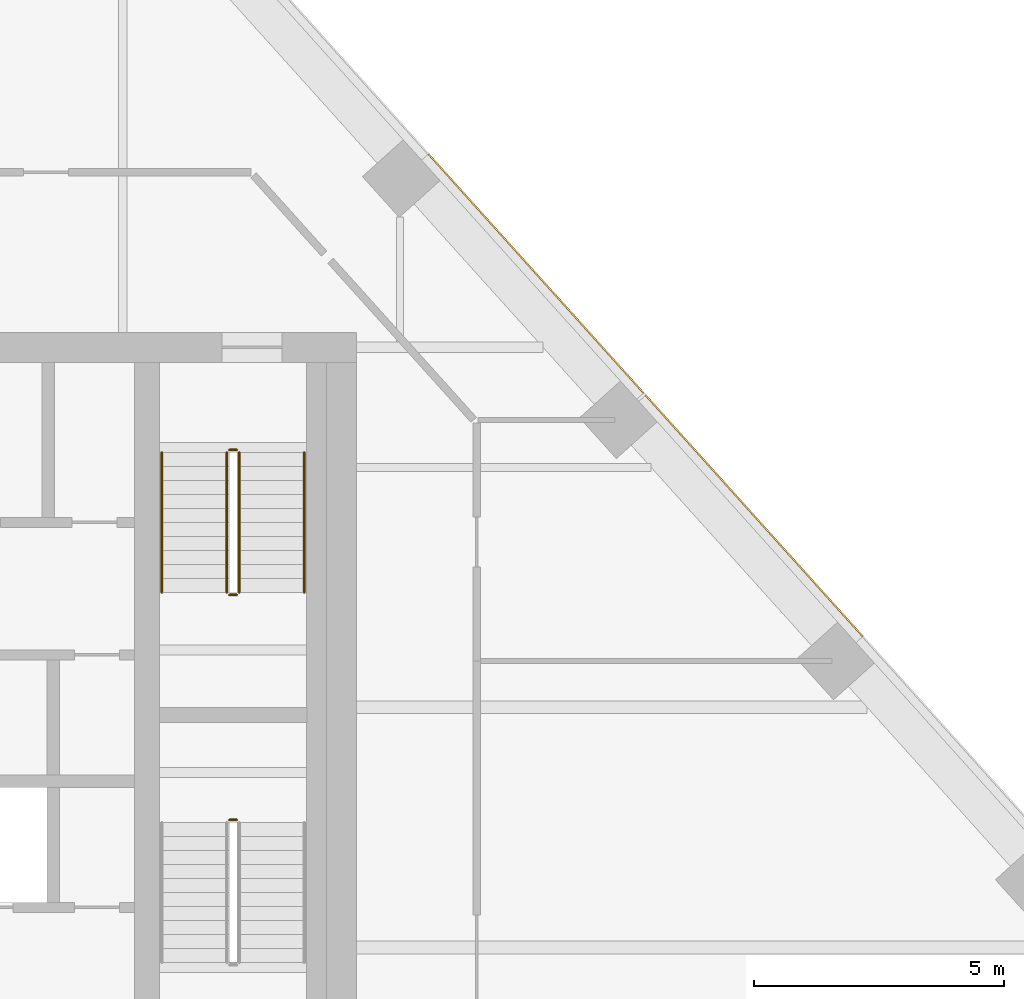
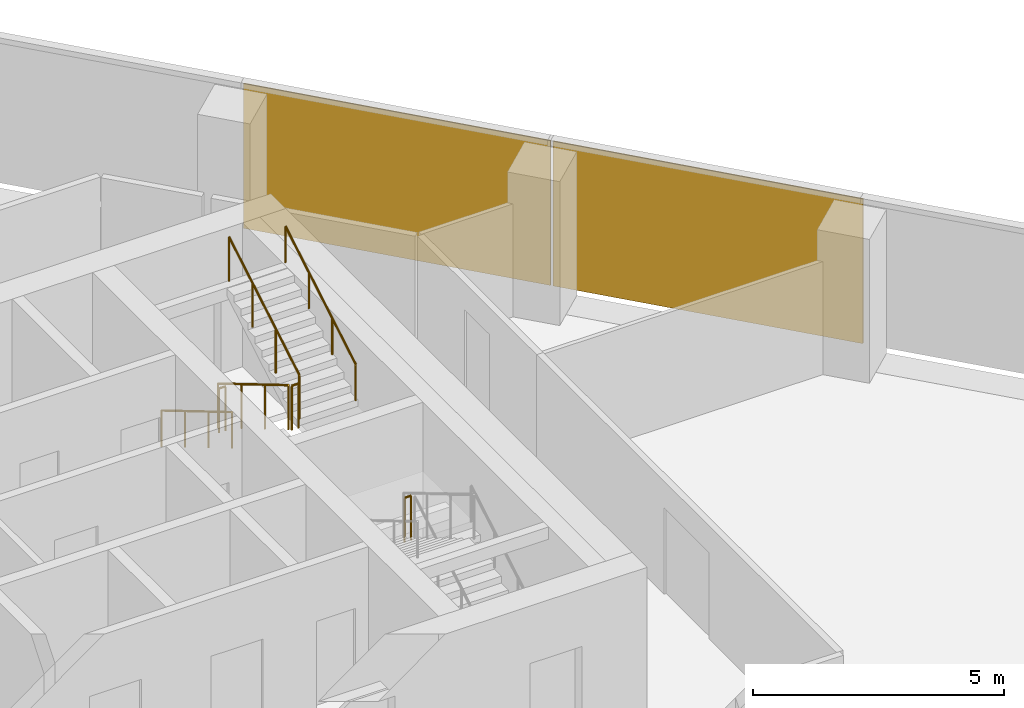
# One storey, part 15 of 15: 7 railings, 2 coverings, 1 element without a shape of its own.
"""IFC4 building model written with IfcOpenShell, lengths in metres."""

from ifc_helpers import new_model, si_unit, direction, frame, origin, origin_2d, place, context, subcontext, project, spatial, rectangle, circle, extrude, material, layer, layer_set, type_object, element, aggregate, save


model = new_model("IFC4")

# Units and contexts
model_context = context("Model", 3, precision=1e-05, world=origin(), true_north=direction((0.0, 1.0)))
body_context = subcontext(model_context, "Body", "Model", "MODEL_VIEW")
ifc_project = project(units=[si_unit("LENGTHUNIT", "METRE"), si_unit("AREAUNIT", "SQUARE_METRE"), si_unit("VOLUMEUNIT", "CUBIC_METRE"), si_unit("PLANEANGLEUNIT", "RADIAN"), si_unit("MASSUNIT", "GRAM", prefix="KILO")], contexts=[model_context])

# Site, building, storey
site_placement = place(None, origin())
site = spatial("IfcSite", under=ifc_project, at=site_placement, CompositionType="ELEMENT")
building_placement = place(site_placement, origin())
building = spatial("IfcBuilding", under=site, at=building_placement, Name="Isthmus Gate Tower", CompositionType="ELEMENT")
storey_placement = place(building_placement, frame((0.0, 0.0, 241.85009765625)))
storey = spatial("IfcBuildingStorey", under=building, at=storey_placement, Name="L61", CompositionType="ELEMENT", Elevation=241.85009765625)

# Curtain wall, coverings
ifc_material_1 = material(Name="Aluminium, pale champagne anodised", Category="aluminium")
ifc_layer_1 = layer(ifc_material_1, 0.199951171875)
ifc_layer_set_1 = layer_set([ifc_layer_1], Name="CW-1 UNITISED CURTAIN WALL 200 DEEP")
curtain_wall_type = type_object("IfcCurtainWallType", Name="CW-1 UNITISED CURTAIN WALL 200 DEEP", PredefinedType="NOTDEFINED", material=ifc_layer_set_1)
curtain_wall_placement = place(storey_placement, origin())
curtain_wall = element("IfcCurtainWall", 1, at=curtain_wall_placement, inside=storey, type_object=curtain_wall_type, Name="CW-1 NE L61", PredefinedType="NOTDEFINED")
ifc_material_2 = material(Name="Aluminium composite panel, pale champagne anodised", Category="aluminium")
ifc_layer_2 = layer(ifc_material_2, 0.031982421875)
ifc_layer_set_2 = layer_set([ifc_layer_2], Name="CW-1 PALE METAL PANEL 32")
covering_type = type_object("IfcCoveringType", Name="CW-1 PALE METAL PANEL 32", PredefinedType="CLADDING", material=ifc_layer_set_2)
covering_1_placement = place(storey_placement, frame((22.950927734375, 11.330810546875, 0.0), z_axis=(0.0, 0.0, 1.0), x_axis=(-0.669130606359, 0.743144825477, 0.0)))
covering_1 = element("IfcCovering", 2, at=covering_1_placement, type_object=covering_type, Name="CW-1 pale metal panel", PredefinedType="CLADDING", context=body_context, shape_type="SweptSolid", body=[
    extrude(rectangle(XDim=6.491943359375, YDim=0.031982421875, at=origin_2d()), origin(), (0.0, 0.0, 1.0), 3.52001953125),
])
covering_2_placement = place(storey_placement, frame((18.5869140625, 16.177734375, 0.0), z_axis=(0.0, 0.0, 1.0), x_axis=(-0.669130606359, 0.743144825477, 0.0)))
covering_2 = element("IfcCovering", 3, at=covering_2_placement, type_object=covering_type, Name="CW-1 pale metal panel", PredefinedType="CLADDING", context=body_context, shape_type="SweptSolid", body=[
    extrude(rectangle(XDim=6.431884765625, YDim=0.031982421875, at=origin_2d()), origin(), (0.0, 0.0, 1.0), 3.52001953125),
])
aggregate(curtain_wall, [covering_1, covering_2])

# Railings
ifc_material_3 = material(Name="Stainless steel balustrade", Category="steel")
railing_type_1 = type_object("IfcRailingType", Name="STAIR GUARD 1100", PredefinedType="GUARDRAIL", material=ifc_material_3)
railing_1_placement = place(storey_placement, frame((12.39990234375, 12.60009765625, 0.165771484375)))
element("IfcRailing", 4, at=railing_1_placement, inside=storey, type_object=railing_type_1, Name="L61 ST2 stair guard 1", PredefinedType="GUARDRAIL", context=body_context, shape_type="SweptSolid", body=[
    extrude(circle(Radius=0.02392578125, at=origin_2d()), frame((0.0, 0.0, 1.076171875), z_axis=(0.0, -0.860306154799, 0.50977771628), x_axis=(1.0, 0.0, 0.0)), (0.0, 0.0, 1.0), 3.254638671875),
    extrude(circle(Radius=0.02099609375, at=origin_2d()), origin(), (0.0, 0.0, 1.0), 1.052001953125),
    extrude(circle(Radius=0.02099609375, at=origin_2d()), frame((0.0, -0.933349609375, 0.552978515625)), (0.0, 0.0, 1.0), 1.052001953125),
    extrude(circle(Radius=0.02099609375, at=origin_2d()), frame((0.0, -1.86669921875, 1.106201171875)), (0.0, 0.0, 1.0), 1.052001953125),
    extrude(circle(Radius=0.02099609375, at=origin_2d()), frame((0.0, -2.800048828125, 1.6591796875)), (0.0, 0.0, 1.0), 1.052001953125),
])
railing_2_placement = place(storey_placement, frame((12.449951171875, 9.75, 1.824951171875)))
element("IfcRailing", 5, at=railing_2_placement, inside=storey, type_object=railing_type_1, Name="L61 ST2 stair guard 2", PredefinedType="GUARDRAIL", context=body_context, shape_type="SweptSolid", body=[
    extrude(circle(Radius=0.02392578125, at=origin_2d()), frame((0.0, 0.0, 1.076171875), z_axis=(1.0, 0.0, 0.0), x_axis=(0.0, 1.0, 0.0)), (0.0, 0.0, 1.0), 0.150146484375),
    extrude(circle(Radius=0.02099609375, at=origin_2d()), origin(), (0.0, 0.0, 1.0), 1.052001953125),
    extrude(circle(Radius=0.02099609375, at=origin_2d()), frame((0.150146484375, 0.0, 0.0)), (0.0, 0.0, 1.0), 1.052001953125),
])
railing_3_placement = place(storey_placement, frame((12.64990234375, 9.800048828125, 1.99072265625)))
element("IfcRailing", 6, at=railing_3_placement, inside=storey, type_object=railing_type_1, Name="L61 ST2 stair guard 3", PredefinedType="GUARDRAIL", context=body_context, shape_type="SweptSolid", body=[
    extrude(circle(Radius=0.02392578125, at=origin_2d()), frame((0.0, 0.0, 1.076171875), z_axis=(0.0, 0.860306154799, 0.50977771628), x_axis=(-1.0, 0.0, 0.0)), (0.0, 0.0, 1.0), 3.254638671875),
    extrude(circle(Radius=0.02099609375, at=origin_2d()), origin(), (0.0, 0.0, 1.0), 1.052001953125),
    extrude(circle(Radius=0.02099609375, at=origin_2d()), frame((0.0, 0.933349609375, 0.552978515625)), (0.0, 0.0, 1.0), 1.052001953125),
    extrude(circle(Radius=0.02099609375, at=origin_2d()), frame((0.0, 1.86669921875, 1.106201171875)), (0.0, 0.0, 1.0), 1.052001953125),
    extrude(circle(Radius=0.02099609375, at=origin_2d()), frame((0.0, 2.800048828125, 1.6591796875)), (0.0, 0.0, 1.0), 1.052001953125),
])
railing_4_placement = place(storey_placement, frame((12.449951171875, 12.64990234375, 0.0)))
element("IfcRailing", 7, at=railing_4_placement, inside=storey, type_object=railing_type_1, Name="L61 ST2 stair guard 4", PredefinedType="GUARDRAIL", context=body_context, shape_type="SweptSolid", body=[
    extrude(circle(Radius=0.02392578125, at=origin_2d()), frame((0.0, 0.0, 1.076171875), z_axis=(1.0, 0.0, 0.0), x_axis=(0.0, 1.0, 0.0)), (0.0, 0.0, 1.0), 0.150146484375),
    extrude(circle(Radius=0.02099609375, at=origin_2d()), origin(), (0.0, 0.0, 1.0), 1.052001953125),
    extrude(circle(Radius=0.02099609375, at=origin_2d()), frame((0.150146484375, 0.0, 0.0)), (0.0, 0.0, 1.0), 1.052001953125),
])
railing_5_placement = place(storey_placement, frame((12.60009765625, 5.25, 1.824951171875)))
element("IfcRailing", 8, at=railing_5_placement, inside=storey, type_object=railing_type_1, Name="L61 ST8 stair guard 2", PredefinedType="GUARDRAIL", context=body_context, shape_type="SweptSolid", body=[
    extrude(circle(Radius=0.02392578125, at=origin_2d()), frame((0.0, 0.0, 1.076171875), z_axis=(-1.0, 0.0, 0.0), x_axis=(0.0, -1.0, 0.0)), (0.0, 0.0, 1.0), 0.150146484375),
    extrude(circle(Radius=0.02099609375, at=origin_2d()), origin(), (0.0, 0.0, 1.0), 1.052001953125),
    extrude(circle(Radius=0.02099609375, at=origin_2d()), frame((-0.150146484375, 0.0, 0.0)), (0.0, 0.0, 1.0), 1.052001953125),
])
ifc_material_4 = material(Name="Stainless steel handrail", Category="steel")
railing_type_2 = type_object("IfcRailingType", Name="STAIR HANDRAIL 900", PredefinedType="HANDRAIL", material=ifc_material_4)
railing_6_placement = place(storey_placement, frame((11.10009765625, 12.60009765625, 0.165771484375)))
element("IfcRailing", 9, at=railing_6_placement, inside=storey, type_object=railing_type_2, Name="L61 ST2 stair handrail 1", PredefinedType="HANDRAIL", context=body_context, shape_type="SweptSolid", body=[
    extrude(circle(Radius=0.02392578125, at=origin_2d()), frame((0.0, 0.0, 0.8759765625), z_axis=(0.0, -0.860306154799, 0.50977771628), x_axis=(1.0, 0.0, 0.0)), (0.0, 0.0, 1.0), 3.254638671875),
    extrude(circle(Radius=0.02099609375, at=origin_2d()), origin(), (0.0, 0.0, 1.0), 0.851806640625),
    extrude(circle(Radius=0.02099609375, at=origin_2d()), frame((0.0, -0.933349609375, 0.552978515625)), (0.0, 0.0, 1.0), 0.851806640625),
    extrude(circle(Radius=0.02099609375, at=origin_2d()), frame((0.0, -1.86669921875, 1.106201171875)), (0.0, 0.0, 1.0), 0.851806640625),
    extrude(circle(Radius=0.02099609375, at=origin_2d()), frame((0.0, -2.800048828125, 1.6591796875)), (0.0, 0.0, 1.0), 0.851806640625),
])
railing_7_placement = place(storey_placement, frame((13.949951171875, 9.800048828125, 1.99072265625)))
element("IfcRailing", 10, at=railing_7_placement, inside=storey, type_object=railing_type_2, Name="L61 ST2 stair handrail 2", PredefinedType="HANDRAIL", context=body_context, shape_type="SweptSolid", body=[
    extrude(circle(Radius=0.02392578125, at=origin_2d()), frame((0.0, 0.0, 0.8759765625), z_axis=(0.0, 0.860306154799, 0.50977771628), x_axis=(-1.0, 0.0, 0.0)), (0.0, 0.0, 1.0), 3.254638671875),
    extrude(circle(Radius=0.02099609375, at=origin_2d()), origin(), (0.0, 0.0, 1.0), 0.851806640625),
    extrude(circle(Radius=0.02099609375, at=origin_2d()), frame((0.0, 0.933349609375, 0.552978515625)), (0.0, 0.0, 1.0), 0.851806640625),
    extrude(circle(Radius=0.02099609375, at=origin_2d()), frame((0.0, 1.86669921875, 1.106201171875)), (0.0, 0.0, 1.0), 0.851806640625),
    extrude(circle(Radius=0.02099609375, at=origin_2d()), frame((0.0, 2.800048828125, 1.6591796875)), (0.0, 0.0, 1.0), 0.851806640625),
])

save(model, "model.ifc")
